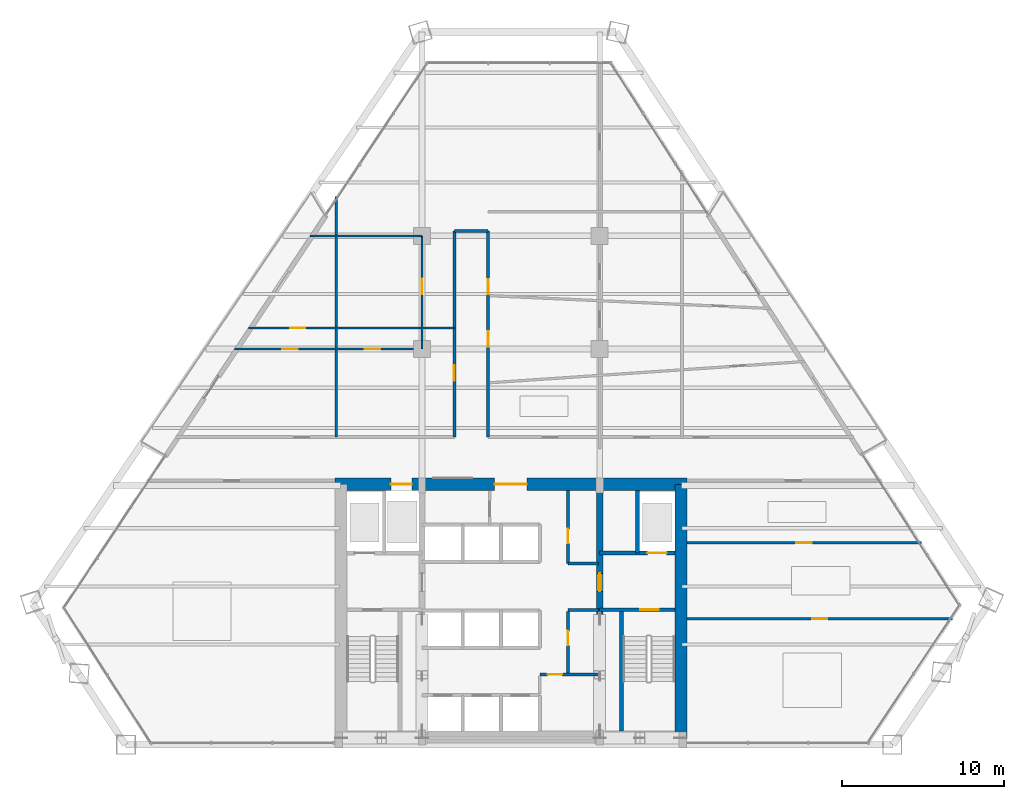
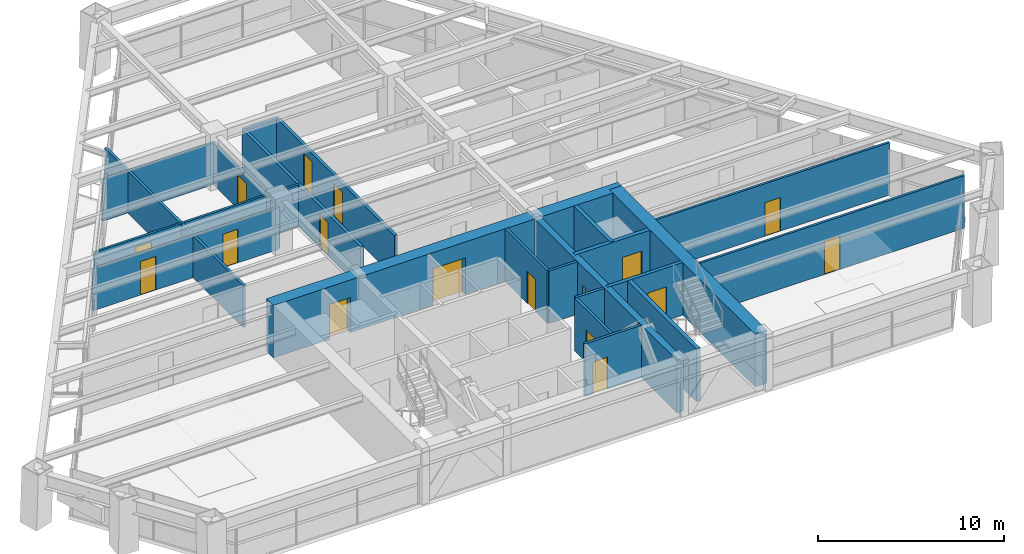
# One storey, part 11 of 15: 22 walls, 17 doors, 17 openings.
"""IFC4 building model written with IfcOpenShell, lengths in metres."""

from ifc_helpers import new_model, si_unit, direction, frame, frame_2d, origin, place, context, subcontext, project, spatial, rectangle, extrude, source, transform, mapped, material, layer, layer_set, type_object, type_shapes, element, fill, save


model = new_model("IFC4")

# Units and contexts
model_context = context("Model", 3, precision=1e-05, world=origin(), true_north=direction((0.0, 1.0)))
body_context = subcontext(model_context, "Body", "Model", "MODEL_VIEW")
ifc_project = project(units=[si_unit("LENGTHUNIT", "METRE"), si_unit("AREAUNIT", "SQUARE_METRE"), si_unit("VOLUMEUNIT", "CUBIC_METRE"), si_unit("PLANEANGLEUNIT", "RADIAN"), si_unit("MASSUNIT", "GRAM", prefix="KILO")], contexts=[model_context])

# Site, building, storey
site_placement = place(None, origin())
site = spatial("IfcSite", under=ifc_project, at=site_placement, CompositionType="ELEMENT")
building_placement = place(site_placement, origin())
building = spatial("IfcBuilding", under=site, at=building_placement, Name="Varnakhor Terracotta Tower", CompositionType="ELEMENT")
storey_placement = place(building_placement, frame((0.0, 0.0, 109.89990234375)))
storey = spatial("IfcBuildingStorey", under=building, at=storey_placement, Name="L27", CompositionType="ELEMENT", Elevation=109.89990234375)

# Wall, openings, doors
ifc_material_1 = material(Name="Concrete C60/75", Category="concrete")
ifc_layer_1 = layer(ifc_material_1, 0.75, Name="Concrete C60/75")
ifc_layer_set_1 = layer_set([ifc_layer_1], Name="Concrete C60/75")
wall_type_1 = type_object("IfcWallType", Name="WAL-CORE-750", PredefinedType="SHEAR", material=ifc_layer_set_1)
wall_1_placement = place(storey_placement, frame((-10.89990234375, 16.125, 0.0), z_axis=(0.0, 0.0, 1.0), x_axis=(1.0, 0.0, 0.0)))
wall_1 = element("IfcWall", 1, at=wall_1_placement, inside=storey, type_object=wall_type_1, Name="L27 North Core Shear Wall", PredefinedType="SHEAR", context=body_context, shape_type="SweptSolid", body=[
    extrude(rectangle(XDim=21.7998046875, YDim=0.75, at=frame_2d((10.89990234375, 0.0))), origin(), (0.0, 0.0, 1.0), 3.4501953125),
])
opening_1_placement = place(wall_1_placement, frame((3.469970703125, 0.0, 0.0)))
opening_1 = element("IfcOpeningElement", 2, at=opening_1_placement, cuts=wall_1, Name="Opening LD-03", PredefinedType="OPENING", context=body_context, shape_type="SweptSolid", body=[
    extrude(rectangle(XDim=1.300048828125, YDim=2.300048828125, at=frame_2d((0.64990234375, 1.14990234375))), frame((0.0, 0.385009765625, 0.0), z_axis=(0.0, -1.0, 0.0), x_axis=(1.0, 0.0, 0.0)), (0.0, 0.0, 1.0), 0.77001953125),
])
opening_2_placement = place(wall_1_placement, frame((9.89990234375, 0.0, 0.0)))
opening_2 = element("IfcOpeningElement", 3, at=opening_2_placement, cuts=wall_1, Name="Opening DR-32", PredefinedType="OPENING", context=body_context, shape_type="SweptSolid", body=[
    extrude(rectangle(XDim=2.0, YDim=2.39990234375, at=frame_2d((1.0, 1.199951171875))), frame((0.0, 0.385009765625, 0.0), z_axis=(0.0, -1.0, 0.0), x_axis=(1.0, 0.0, 0.0)), (0.0, 0.0, 1.0), 0.77001953125),
])
ifc_material_2 = material(Name="Heavy-Duty Goods Sliding Lift Landing Door", Category="steel")
door_type_1 = type_object("IfcDoorType", Name="LD-SRV-1300X2300", OperationType="NOTDEFINED", PredefinedType="DOOR", material=ifc_material_2)
shared_shape_1 = source(origin(), body_context, "Body", "SweptSolid", [
    extrude(rectangle(XDim=1.300048828125, YDim=2.300048828125, at=frame_2d((0.64990234375, 1.14990234375))), frame((0.0, 0.02490234375, 0.0), z_axis=(0.0, -1.0, 0.0), x_axis=(1.0, 0.0, 0.0)), (0.0, 0.0, 1.0), 0.050048828125),
])
type_shapes(door_type_1, [shared_shape_1])
door_1_placement = place(opening_1_placement, origin())
door_1 = element("IfcDoor", 4, at=door_1_placement, inside=storey, type_object=door_type_1, Name="L27 Service Lift SVL-1 Landing Door", OperationType="SLIDING_TO_RIGHT", OverallHeight=2.300048828125, OverallWidth=1.300048828125, PredefinedType="DOOR", context=body_context, shape_type="MappedRepresentation", body=[
    mapped(shared_shape_1, transform((0.0, 0.0, 0.0), scale=1.0)),
])
fill(opening_1, door_1)
ifc_material_3 = material(Name="Acoustic Double Assembly Fire Door", Category="wood")
door_type_2 = type_object("IfcDoorType", Name="DR-HALL-2000X2400", OperationType="NOTDEFINED", PredefinedType="DOOR", material=ifc_material_3)
shared_shape_2 = source(origin(), body_context, "Body", "SweptSolid", [
    extrude(rectangle(XDim=2.0, YDim=2.39990234375, at=frame_2d((1.0, 1.199951171875))), frame((0.0, 0.02490234375, 0.0), z_axis=(0.0, -1.0, 0.0), x_axis=(1.0, 0.0, 0.0)), (0.0, 0.0, 1.0), 0.050048828125),
])
type_shapes(door_type_2, [shared_shape_2])
door_2_placement = place(opening_2_placement, origin())
door_2 = element("IfcDoor", 5, at=door_2_placement, inside=storey, type_object=door_type_2, Name="L27 Core Main Lobby Double Door", OperationType="DOUBLE_DOOR_SINGLE_SWING", OverallHeight=2.39990234375, OverallWidth=2.0, PredefinedType="DOOR", context=body_context, shape_type="MappedRepresentation", body=[
    mapped(shared_shape_2, transform((0.0, 0.0, 0.0), scale=1.0)),
])
fill(opening_2, door_2)

# Wall
wall_2_placement = place(storey_placement, frame((10.52490234375, 0.47509765625, 0.0), z_axis=(0.0, 0.0, 1.0), x_axis=(0.0, 1.0, 0.0)))
element("IfcWall", 6, at=wall_2_placement, inside=storey, type_object=wall_type_1, Name="L27 East Core Shear Wall", PredefinedType="SHEAR", context=body_context, shape_type="SweptSolid", body=[
    extrude(rectangle(XDim=15.64990234375, YDim=0.75, at=frame_2d((7.824951171875, 0.0))), origin(), (0.0, 0.0, 1.0), 3.4501953125),
])

# Wall, opening, door
ifc_material_4 = material(Name="Concrete C50/60", Category="concrete")
ifc_layer_2 = layer(ifc_material_4, 0.39990234375, Name="Concrete C50/60")
ifc_layer_set_2 = layer_set([ifc_layer_2], Name="Concrete C50/60")
wall_type_2 = type_object("IfcWallType", Name="WAL-CORE-WEB-400", PredefinedType="SHEAR", material=ifc_layer_set_2)
wall_3_placement = place(storey_placement, frame((5.5, 0.47509765625, 0.0), z_axis=(0.0, 0.0, 1.0), x_axis=(0.0, 1.0, 0.0)))
wall_3 = element("IfcWall", 7, at=wall_3_placement, inside=storey, type_object=wall_type_2, Name="L27 East Core Web Shear Wall", PredefinedType="SHEAR", context=body_context, shape_type="SweptSolid", body=[
    extrude(rectangle(XDim=15.64990234375, YDim=0.39990234375, at=frame_2d((7.824951171875, 0.0))), origin(), (0.0, 0.0, 1.0), 3.4501953125),
])
opening_3_placement = place(wall_3_placement, frame((9.02490234375, 0.0, 0.0)))
opening_3 = element("IfcOpeningElement", 8, at=opening_3_placement, cuts=wall_3, Name="Opening DR-25", PredefinedType="OPENING", context=body_context, shape_type="SweptSolid", body=[
    extrude(rectangle(XDim=1.10009765625, YDim=2.199951171875, at=frame_2d((0.550048828125, 1.10009765625))), frame((0.0, 0.2099609375, 0.0), z_axis=(0.0, -1.0, 0.0), x_axis=(1.0, 0.0, 0.0)), (0.0, 0.0, 1.0), 0.419921875),
])
ifc_material_5 = material(Name="Firefighting Lobby Self-Closing Fire Door", Category="steel")
door_type_3 = type_object("IfcDoorType", Name="DR-FFL-1100X2200", OperationType="NOTDEFINED", PredefinedType="DOOR", material=ifc_material_5)
shared_shape_3 = source(origin(), body_context, "Body", "SweptSolid", [
    extrude(rectangle(XDim=1.10009765625, YDim=2.199951171875, at=frame_2d((0.550048828125, 1.10009765625))), frame((0.0, 0.02490234375, 0.0), z_axis=(0.0, -1.0, 0.0), x_axis=(1.0, 0.0, 0.0)), (0.0, 0.0, 1.0), 0.050048828125),
])
type_shapes(door_type_3, [shared_shape_3])
door_3_placement = place(opening_3_placement, origin())
door_3 = element("IfcDoor", 9, at=door_3_placement, inside=storey, type_object=door_type_3, Name="L27 East Firefighting Lobby Door", OperationType="SINGLE_SWING_LEFT", OverallHeight=2.199951171875, OverallWidth=1.10009765625, PredefinedType="DOOR", context=body_context, shape_type="MappedRepresentation", body=[
    mapped(shared_shape_3, transform((0.0, 0.0, 0.0), scale=1.0)),
])
fill(opening_3, door_3)

ifc_material_6 = material(Name="Fire-Rated Gypsum Stud Partition", Category="gypsum")
ifc_layer_3 = layer(ifc_material_6, 0.18505859375, Name="Fire-Rated Gypsum Stud Partition")
ifc_layer_set_3 = layer_set([ifc_layer_3], Name="Fire-Rated Gypsum Stud Partition")
wall_type_3 = type_object("IfcWallType", Name="WAL-CORR-185", PredefinedType="PARTITIONING", material=ifc_layer_set_3)
wall_4_placement = place(storey_placement, frame((-3.5, 19.050048828125, 0.0), z_axis=(0.0, 0.0, 1.0), x_axis=(0.0, 1.0, 0.0)))
wall_4 = element("IfcWall", 10, at=wall_4_placement, inside=storey, type_object=wall_type_3, Name="L27 Spine West Wall", PredefinedType="PARTITIONING", context=body_context, shape_type="SweptSolid", body=[
    extrude(rectangle(XDim=12.75, YDim=0.18505859375, at=frame_2d((6.375, 0.0))), origin(), (0.0, 0.0, 1.0), 2.7470703125),
])
opening_4_placement = place(wall_4_placement, frame((3.486083984375, 0.0, 0.0)))
opening_4 = element("IfcOpeningElement", 11, at=opening_4_placement, cuts=wall_4, Name="Opening DR-94", PredefinedType="OPENING", context=body_context, shape_type="SweptSolid", body=[
    extrude(rectangle(XDim=0.949951171875, YDim=2.199951171875, at=frame_2d((0.47509765625, 1.10009765625))), frame((0.0, 0.1025390625, 0.0), z_axis=(0.0, -1.0, 0.0), x_axis=(1.0, 0.0, 0.0)), (0.0, 0.0, 1.0), 0.205078125),
])
ifc_material_7 = material(Name="Acoustic Glazed-Vision Timber Office Door", Category="wood")
door_type_4 = type_object("IfcDoorType", Name="DR-OFF-950X2200", OperationType="NOTDEFINED", PredefinedType="DOOR", material=ifc_material_7)
shared_shape_4 = source(origin(), body_context, "Body", "SweptSolid", [
    extrude(rectangle(XDim=0.949951171875, YDim=2.199951171875, at=frame_2d((0.47509765625, 1.10009765625))), frame((0.0, 0.02490234375, 0.0), z_axis=(0.0, -1.0, 0.0), x_axis=(1.0, 0.0, 0.0)), (0.0, 0.0, 1.0), 0.050048828125),
])
type_shapes(door_type_4, [shared_shape_4])
door_4_placement = place(opening_4_placement, origin())
door_4 = element("IfcDoor", 12, at=door_4_placement, inside=storey, type_object=door_type_4, Name="L27 Spine West Door", OperationType="SINGLE_SWING_RIGHT", OverallHeight=2.199951171875, OverallWidth=0.949951171875, PredefinedType="DOOR", context=body_context, shape_type="MappedRepresentation", body=[
    mapped(shared_shape_4, transform((0.0, 0.0, 0.0), scale=1.0)),
])
fill(opening_4, door_4)

# Wall, openings, doors
wall_5_placement = place(storey_placement, frame((-1.39990234375, 19.050048828125, 0.0), z_axis=(0.0, 0.0, 1.0), x_axis=(0.0, 1.0, 0.0)))
wall_5 = element("IfcWall", 13, at=wall_5_placement, inside=storey, type_object=wall_type_3, Name="L27 Spine East Wall", PredefinedType="PARTITIONING", context=body_context, shape_type="SweptSolid", body=[
    extrude(rectangle(XDim=12.75, YDim=0.18505859375, at=frame_2d((6.375, 0.0))), origin(), (0.0, 0.0, 1.0), 2.7470703125),
])
opening_5_placement = place(wall_5_placement, frame((8.830078125, 0.0, 0.0)))
opening_5 = element("IfcOpeningElement", 14, at=opening_5_placement, cuts=wall_5, Name="Opening DR-94", PredefinedType="OPENING", context=body_context, shape_type="SweptSolid", body=[
    extrude(rectangle(XDim=0.949951171875, YDim=2.199951171875, at=frame_2d((0.47509765625, 1.10009765625))), frame((0.0, 0.1025390625, 0.0), z_axis=(0.0, -1.0, 0.0), x_axis=(1.0, 0.0, 0.0)), (0.0, 0.0, 1.0), 0.205078125),
])
opening_6_placement = place(wall_5_placement, frame((5.593505859375, 0.0, 0.0)))
opening_6 = element("IfcOpeningElement", 15, at=opening_6_placement, cuts=wall_5, Name="Opening DR-94", PredefinedType="OPENING", context=body_context, shape_type="SweptSolid", body=[
    extrude(rectangle(XDim=0.949951171875, YDim=2.199951171875, at=frame_2d((0.47509765625, 1.10009765625))), frame((0.0, 0.1025390625, 0.0), z_axis=(0.0, -1.0, 0.0), x_axis=(1.0, 0.0, 0.0)), (0.0, 0.0, 1.0), 0.205078125),
])
door_5_placement = place(opening_5_placement, origin())
door_5 = element("IfcDoor", 16, at=door_5_placement, inside=storey, type_object=door_type_4, Name="L27 Spine East Door", OperationType="SINGLE_SWING_LEFT", OverallHeight=2.199951171875, OverallWidth=0.949951171875, PredefinedType="DOOR", context=body_context, shape_type="MappedRepresentation", body=[
    mapped(shared_shape_4, transform((0.0, 0.0, 0.0), scale=1.0)),
])
fill(opening_5, door_5)
door_6_placement = place(opening_6_placement, origin())
door_6 = element("IfcDoor", 17, at=door_6_placement, inside=storey, type_object=door_type_4, Name="L27 Director Office 3 B12 Door", OperationType="SINGLE_SWING_RIGHT", OverallHeight=2.199951171875, OverallWidth=0.949951171875, PredefinedType="DOOR", context=body_context, shape_type="MappedRepresentation", body=[
    mapped(shared_shape_4, transform((0.0, 0.0, 0.0), scale=1.0)),
])
fill(opening_6, door_6)

# Wall
wall_6_placement = place(storey_placement, frame((-3.5, 31.800048828125, 0.0), z_axis=(0.0, 0.0, 1.0), x_axis=(1.0, 0.0, 0.0)))
element("IfcWall", 18, at=wall_6_placement, inside=storey, type_object=wall_type_3, Name="L27 Spine North End Wall", PredefinedType="PARTITIONING", context=body_context, shape_type="SweptSolid", body=[
    extrude(rectangle(XDim=2.10009765625, YDim=0.18505859375, at=frame_2d((1.050048828125, 0.0))), origin(), (0.0, 0.0, 1.0), 2.7470703125),
])

# Wall, opening, door
ifc_material_8 = material(Name="Concrete C40/50", Category="concrete")
ifc_layer_4 = layer(ifc_material_8, 0.219970703125, Name="Concrete C40/50")
ifc_layer_set_4 = layer_set([ifc_layer_4], Name="Concrete C40/50")
wall_type_4 = type_object("IfcWallType", Name="WAL-FFLOBBY-220", PredefinedType="SOLIDWALL", material=ifc_layer_set_4)
wall_7_placement = place(storey_placement, frame((10.14990234375, 8.35009765625, 0.0), z_axis=(0.0, 0.0, 1.0), x_axis=(-1.0, 0.0, 0.0)))
wall_7 = element("IfcWall", 19, at=wall_7_placement, inside=storey, type_object=wall_type_4, Name="L27 East Firefighting Lobby Stair Wall", PredefinedType="SOLIDWALL", context=body_context, shape_type="SweptSolid", body=[
    extrude(rectangle(XDim=4.64990234375, YDim=0.219970703125, at=frame_2d((2.324951171875, 0.0))), origin(), (0.0, 0.0, 1.0), 3.4501953125),
])
opening_7_placement = place(wall_7_placement, frame((1.0, 0.0, 0.0)))
opening_7 = element("IfcOpeningElement", 20, at=opening_7_placement, cuts=wall_7, Name="Opening DR-34", PredefinedType="OPENING", context=body_context, shape_type="SweptSolid", body=[
    extrude(rectangle(XDim=1.14990234375, YDim=2.199951171875, at=frame_2d((0.574951171875, 1.10009765625))), frame((0.0, 0.1201171875, 0.0), z_axis=(0.0, -1.0, 0.0), x_axis=(1.0, 0.0, 0.0)), (0.0, 0.0, 1.0), 0.239990234375),
])
ifc_material_9 = material(Name="Self-Closing Smoke-Sealed Steel Fire Door", Category="steel")
door_type_5 = type_object("IfcDoorType", Name="DR-STAIR-1150X2200", OperationType="NOTDEFINED", PredefinedType="DOOR", material=ifc_material_9)
shared_shape_5 = source(origin(), body_context, "Body", "SweptSolid", [
    extrude(rectangle(XDim=1.14990234375, YDim=2.199951171875, at=frame_2d((0.574951171875, 1.10009765625))), frame((0.0, 0.02490234375, 0.0), z_axis=(0.0, -1.0, 0.0), x_axis=(1.0, 0.0, 0.0)), (0.0, 0.0, 1.0), 0.050048828125),
])
type_shapes(door_type_5, [shared_shape_5])
door_7_placement = place(opening_7_placement, origin())
door_7 = element("IfcDoor", 21, at=door_7_placement, inside=storey, type_object=door_type_5, Name="L27 Exit Stair ST-2 Fire Door", OperationType="SINGLE_SWING_RIGHT", OverallHeight=2.199951171875, OverallWidth=1.14990234375, PredefinedType="DOOR", context=body_context, shape_type="MappedRepresentation", body=[
    mapped(shared_shape_5, transform((0.0, 0.0, 0.0), scale=1.0)),
])
fill(opening_7, door_7)

# Wall, openings, doors
ifc_material_10 = material(Name="Acoustic Metal-Stud Partition", Category="gypsum")
ifc_layer_5 = layer(ifc_material_10, 0.139892578125, Name="Acoustic Metal-Stud Partition")
ifc_layer_set_5 = layer_set([ifc_layer_5], Name="Acoustic Metal-Stud Partition")
wall_type_5 = type_object("IfcWallType", Name="WAL-PART-140", PredefinedType="PARTITIONING", material=ifc_layer_set_5)
wall_8_placement = place(storey_placement, frame((-17.103515625, 24.5, 0.0), z_axis=(0.0, 0.0, 1.0), x_axis=(1.0, 0.0, 0.0)))
wall_8 = element("IfcWall", 22, at=wall_8_placement, inside=storey, type_object=wall_type_5, Name="L27 West Y24.5 Column Wall", PredefinedType="PARTITIONING", context=body_context, shape_type="SweptSolid", body=[
    extrude(rectangle(XDim=11.603515625, YDim=0.139892578125, at=frame_2d((5.8017578125, 0.0))), origin(), (0.0, 0.0, 1.0), 2.7470703125),
])
opening_8_placement = place(wall_8_placement, frame((2.967041015625, 0.0, 0.0)))
opening_8 = element("IfcOpeningElement", 23, at=opening_8_placement, cuts=wall_8, Name="Opening DR-94", PredefinedType="OPENING", context=body_context, shape_type="SweptSolid", body=[
    extrude(rectangle(XDim=0.949951171875, YDim=2.199951171875, at=frame_2d((0.47509765625, 1.10009765625))), frame((0.0, 0.080078125, 0.0), z_axis=(0.0, -1.0, 0.0), x_axis=(1.0, 0.0, 0.0)), (0.0, 0.0, 1.0), 0.159912109375),
])
opening_9_placement = place(wall_8_placement, frame((8.072021484375, 0.0, 0.0)))
opening_9 = element("IfcOpeningElement", 24, at=opening_9_placement, cuts=wall_8, Name="Opening DR-94", PredefinedType="OPENING", context=body_context, shape_type="SweptSolid", body=[
    extrude(rectangle(XDim=0.949951171875, YDim=2.199951171875, at=frame_2d((0.47509765625, 1.10009765625))), frame((0.0, 0.080078125, 0.0), z_axis=(0.0, -1.0, 0.0), x_axis=(1.0, 0.0, 0.0)), (0.0, 0.0, 1.0), 0.159912109375),
])
door_8_placement = place(opening_8_placement, origin())
door_8 = element("IfcDoor", 25, at=door_8_placement, inside=storey, type_object=door_type_4, Name="L27 Director Office 2 Door", OperationType="SINGLE_SWING_LEFT", OverallHeight=2.199951171875, OverallWidth=0.949951171875, PredefinedType="DOOR", context=body_context, shape_type="MappedRepresentation", body=[
    mapped(shared_shape_4, transform((0.0, 0.0, 0.0), scale=1.0)),
])
fill(opening_8, door_8)
door_9_placement = place(opening_9_placement, origin())
door_9 = element("IfcDoor", 26, at=door_9_placement, inside=storey, type_object=door_type_4, Name="L27 Innovation Workshop B13 Door", OperationType="SINGLE_SWING_LEFT", OverallHeight=2.199951171875, OverallWidth=0.949951171875, PredefinedType="DOOR", context=body_context, shape_type="MappedRepresentation", body=[
    mapped(shared_shape_4, transform((0.0, 0.0, 0.0), scale=1.0)),
])
fill(opening_9, door_9)

# Wall, opening, door
wall_9_placement = place(storey_placement, frame((-5.5, 24.5, 0.0), z_axis=(0.0, 0.0, 1.0), x_axis=(0.0, 1.0, 0.0)))
wall_9 = element("IfcWall", 27, at=wall_9_placement, inside=storey, type_object=wall_type_5, Name="L27 West Mid Link Wall", PredefinedType="PARTITIONING", context=body_context, shape_type="SweptSolid", body=[
    extrude(rectangle(XDim=7.0, YDim=0.139892578125, at=frame_2d((3.5, 0.0))), origin(), (0.0, 0.0, 1.0), 2.7470703125),
])
opening_10_placement = place(wall_9_placement, frame((3.393310546875, 0.0, 0.0)))
opening_10 = element("IfcOpeningElement", 28, at=opening_10_placement, cuts=wall_9, Name="Opening DR-94", PredefinedType="OPENING", context=body_context, shape_type="SweptSolid", body=[
    extrude(rectangle(XDim=0.949951171875, YDim=2.199951171875, at=frame_2d((0.47509765625, 1.10009765625))), frame((0.0, 0.080078125, 0.0), z_axis=(0.0, -1.0, 0.0), x_axis=(1.0, 0.0, 0.0)), (0.0, 0.0, 1.0), 0.159912109375),
])
door_10_placement = place(opening_10_placement, origin())
door_10 = element("IfcDoor", 29, at=door_10_placement, inside=storey, type_object=door_type_4, Name="L27 Innovation Workshop Door", OperationType="SINGLE_SWING_LEFT", OverallHeight=2.199951171875, OverallWidth=0.949951171875, PredefinedType="DOOR", context=body_context, shape_type="MappedRepresentation", body=[
    mapped(shared_shape_4, transform((0.0, 0.0, 0.0), scale=1.0)),
])
fill(opening_10, door_10)

# Wall
wall_10_placement = place(storey_placement, frame((-12.435791015625, 31.5, 0.0), z_axis=(0.0, 0.0, 1.0), x_axis=(1.0, 0.0, 0.0)))
element("IfcWall", 30, at=wall_10_placement, inside=storey, type_object=wall_type_5, Name="L27 West Y31.5 Column Wall", PredefinedType="PARTITIONING", context=body_context, shape_type="SweptSolid", body=[
    extrude(rectangle(XDim=6.935791015625, YDim=0.139892578125, at=frame_2d((3.4677734375, 0.0))), origin(), (0.0, 0.0, 1.0), 2.7470703125),
])

# Wall, opening, door
wall_11_placement = place(storey_placement, frame((-16.23681640625, 25.800048828125, 0.0), z_axis=(0.0, 0.0, 1.0), x_axis=(1.0, 0.0, 0.0)))
wall_11 = element("IfcWall", 31, at=wall_11_placement, inside=storey, type_object=wall_type_5, Name="L27 West Wing Cut 1", PredefinedType="PARTITIONING", context=body_context, shape_type="SweptSolid", body=[
    extrude(rectangle(XDim=12.73681640625, YDim=0.139892578125, at=frame_2d((6.368408203125, 0.0))), origin(), (0.0, 0.0, 1.0), 2.7470703125),
])
opening_11_placement = place(wall_11_placement, frame((2.573974609375, 0.0, 0.0)))
opening_11 = element("IfcOpeningElement", 32, at=opening_11_placement, cuts=wall_11, Name="Opening DR-94", PredefinedType="OPENING", context=body_context, shape_type="SweptSolid", body=[
    extrude(rectangle(XDim=0.949951171875, YDim=2.199951171875, at=frame_2d((0.47509765625, 1.10009765625))), frame((0.0, 0.080078125, 0.0), z_axis=(0.0, -1.0, 0.0), x_axis=(1.0, 0.0, 0.0)), (0.0, 0.0, 1.0), 0.159912109375),
])
door_11_placement = place(opening_11_placement, origin())
door_11 = element("IfcDoor", 33, at=door_11_placement, inside=storey, type_object=door_type_4, Name="L27 Regional HQ Workplace B16 Door", OperationType="SINGLE_SWING_RIGHT", OverallHeight=2.199951171875, OverallWidth=0.949951171875, PredefinedType="DOOR", context=body_context, shape_type="MappedRepresentation", body=[
    mapped(shared_shape_4, transform((0.0, 0.0, 0.0), scale=1.0)),
])
fill(opening_11, door_11)

wall_12_placement = place(storey_placement, frame((10.919921875, 7.800048828125, 0.0), z_axis=(0.0, 0.0, 1.0), x_axis=(1.0, 0.0, 0.0)))
wall_12 = element("IfcWall", 34, at=wall_12_placement, inside=storey, type_object=wall_type_5, Name="L27 South East Cut 1", PredefinedType="PARTITIONING", context=body_context, shape_type="SweptSolid", body=[
    extrude(rectangle(XDim=16.421875, YDim=0.139892578125, at=frame_2d((8.2109375, 0.0))), origin(), (0.0, 0.0, 1.0), 3.442138671875),
])
opening_12_placement = place(wall_12_placement, frame((7.724609375, 0.0, 0.0)))
opening_12 = element("IfcOpeningElement", 35, at=opening_12_placement, cuts=wall_12, Name="Opening DR-94", PredefinedType="OPENING", context=body_context, shape_type="SweptSolid", body=[
    extrude(rectangle(XDim=0.949951171875, YDim=2.199951171875, at=frame_2d((0.47509765625, 1.10009765625))), frame((0.0, 0.080078125, 0.0), z_axis=(0.0, -1.0, 0.0), x_axis=(1.0, 0.0, 0.0)), (0.0, 0.0, 1.0), 0.159912109375),
])
door_12_placement = place(opening_12_placement, origin())
door_12 = element("IfcDoor", 36, at=door_12_placement, inside=storey, type_object=door_type_4, Name="L27 South East Conference Room Door", OperationType="SINGLE_SWING_RIGHT", OverallHeight=2.199951171875, OverallWidth=0.949951171875, PredefinedType="DOOR", context=body_context, shape_type="MappedRepresentation", body=[
    mapped(shared_shape_4, transform((0.0, 0.0, 0.0), scale=1.0)),
])
fill(opening_12, door_12)

wall_13_placement = place(storey_placement, frame((10.919921875, 12.5, 0.0), z_axis=(0.0, 0.0, 1.0), x_axis=(1.0, 0.0, 0.0)))
wall_13 = element("IfcWall", 37, at=wall_13_placement, inside=storey, type_object=wall_type_5, Name="L27 South East Cut 2", PredefinedType="PARTITIONING", context=body_context, shape_type="SweptSolid", body=[
    extrude(rectangle(XDim=14.487060546875, YDim=0.139892578125, at=frame_2d((7.24365234375, 0.0))), origin(), (0.0, 0.0, 1.0), 3.442138671875),
])
opening_13_placement = place(wall_13_placement, frame((6.760009765625, 0.0, 0.0)))
opening_13 = element("IfcOpeningElement", 38, at=opening_13_placement, cuts=wall_13, Name="Opening DR-94", PredefinedType="OPENING", context=body_context, shape_type="SweptSolid", body=[
    extrude(rectangle(XDim=0.949951171875, YDim=2.199951171875, at=frame_2d((0.47509765625, 1.10009765625))), frame((0.0, 0.080078125, 0.0), z_axis=(0.0, -1.0, 0.0), x_axis=(1.0, 0.0, 0.0)), (0.0, 0.0, 1.0), 0.159912109375),
])
door_13_placement = place(opening_13_placement, origin())
door_13 = element("IfcDoor", 39, at=door_13_placement, inside=storey, type_object=door_type_4, Name="L27 Director Office 2 B3 Door", OperationType="SINGLE_SWING_RIGHT", OverallHeight=2.199951171875, OverallWidth=0.949951171875, PredefinedType="DOOR", context=body_context, shape_type="MappedRepresentation", body=[
    mapped(shared_shape_4, transform((0.0, 0.0, 0.0), scale=1.0)),
])
fill(opening_13, door_13)

# Walls
ifc_layer_6 = layer(ifc_material_8, 0.219970703125, Name="Concrete C40/50")
ifc_layer_set_6 = layer_set([ifc_layer_6], Name="Concrete C40/50")
wall_type_6 = type_object("IfcWallType", Name="WAL-SHAFT-220", PredefinedType="SOLIDWALL", material=ifc_layer_set_6)
wall_14_placement = place(storey_placement, frame((7.840087890625, 11.8701171875, 0.0), z_axis=(0.0, 0.0, 1.0), x_axis=(0.0, 1.0, 0.0)))
element("IfcWall", 40, at=wall_14_placement, inside=storey, type_object=wall_type_6, Name="L27 Lift FFL-2 and Riser Divider Wall", PredefinedType="SOLIDWALL", context=body_context, shape_type="SweptSolid", body=[
    extrude(rectangle(XDim=3.8798828125, YDim=0.219970703125, at=frame_2d((1.93994140625, 0.0))), origin(), (0.0, 0.0, 1.0), 3.4501953125),
])
ifc_layer_7 = layer(ifc_material_8, 0.25, Name="Concrete C40/50")
ifc_layer_set_7 = layer_set([ifc_layer_7], Name="Concrete C40/50")
wall_type_7 = type_object("IfcWallType", Name="WAL-SHAFT-250", PredefinedType="SOLIDWALL", material=ifc_layer_set_7)
wall_15_placement = place(storey_placement, frame((6.85009765625, 0.85009765625, 0.0), z_axis=(0.0, 0.0, 1.0), x_axis=(0.0, 1.0, 0.0)))
element("IfcWall", 41, at=wall_15_placement, inside=storey, type_object=wall_type_7, Name="L27 Stair ST-2 Bearing Shaft Wall", PredefinedType="SOLIDWALL", context=body_context, shape_type="SweptSolid", body=[
    extrude(rectangle(XDim=7.5, YDim=0.25, at=frame_2d((3.75, 0.0))), origin(), (0.0, 0.0, 1.0), 3.4501953125),
])

# Wall, opening, door
wall_16_placement = place(storey_placement, frame((10.14990234375, 11.8701171875, 0.0), z_axis=(0.0, 0.0, 1.0), x_axis=(-1.0, 0.0, 0.0)))
wall_16 = element("IfcWall", 42, at=wall_16_placement, inside=storey, type_object=wall_type_7, Name="L27 Lift FFL-2 Shaft Front Wall", PredefinedType="SOLIDWALL", context=body_context, shape_type="SweptSolid", body=[
    extrude(rectangle(XDim=4.64990234375, YDim=0.25, at=frame_2d((2.324951171875, 0.0))), origin(), (0.0, 0.0, 1.0), 3.4501953125),
])
opening_14_placement = place(wall_16_placement, frame((0.5, 0.0, 0.0)))
opening_14 = element("IfcOpeningElement", 43, at=opening_14_placement, cuts=wall_16, Name="Opening LD-02", PredefinedType="OPENING", context=body_context, shape_type="SweptSolid", body=[
    extrude(rectangle(XDim=1.199951171875, YDim=2.25, at=frame_2d((0.60009765625, 1.125))), frame((0.0, 0.135009765625, 0.0), z_axis=(0.0, -1.0, 0.0), x_axis=(1.0, 0.0, 0.0)), (0.0, 0.0, 1.0), 0.27001953125),
])
ifc_material_11 = material(Name="Firefighting Stretcher Sliding Lift Landing Door", Category="steel")
door_type_6 = type_object("IfcDoorType", Name="LD-FFL-1200X2250", OperationType="NOTDEFINED", PredefinedType="DOOR", material=ifc_material_11)
shared_shape_6 = source(origin(), body_context, "Body", "SweptSolid", [
    extrude(rectangle(XDim=1.199951171875, YDim=2.25, at=frame_2d((0.60009765625, 1.125))), frame((0.0, 0.02490234375, 0.0), z_axis=(0.0, -1.0, 0.0), x_axis=(1.0, 0.0, 0.0)), (0.0, 0.0, 1.0), 0.050048828125),
])
type_shapes(door_type_6, [shared_shape_6])
door_14_placement = place(opening_14_placement, origin())
door_14 = element("IfcDoor", 44, at=door_14_placement, inside=storey, type_object=door_type_6, Name="L27 Firefighting Lift FFL-2 Landing Door", OperationType="SLIDING_TO_RIGHT", OverallHeight=2.25, OverallWidth=1.199951171875, PredefinedType="DOOR", context=body_context, shape_type="MappedRepresentation", body=[
    mapped(shared_shape_6, transform((0.0, 0.0, 0.0), scale=1.0)),
])
fill(opening_14, door_14)

ifc_material_12 = material(Name="Acoustic Fire-Rated Partition", Category="gypsum")
ifc_layer_8 = layer(ifc_material_12, 0.1650390625, Name="Acoustic Fire-Rated Partition")
ifc_layer_set_8 = layer_set([ifc_layer_8], Name="Acoustic Fire-Rated Partition")
wall_type_8 = type_object("IfcWallType", Name="WAL-TENANCY-165", PredefinedType="PARTITIONING", material=ifc_layer_set_8)
wall_17_placement = place(storey_placement, frame((3.5400390625, 4.4326171875, 0.0), z_axis=(0.0, 0.0, 1.0), x_axis=(0.0, 1.0, 0.0)))
wall_17 = element("IfcWall", 45, at=wall_17_placement, inside=storey, type_object=wall_type_8, Name="L27 Core Service Rated Wall", PredefinedType="PARTITIONING", context=body_context, shape_type="SweptSolid", body=[
    extrude(rectangle(XDim=3.824951171875, YDim=0.1650390625, at=frame_2d((1.91259765625, 0.0))), origin(), (0.0, 0.0, 1.0), 3.442138671875),
])
opening_15_placement = place(wall_17_placement, frame((1.72119140625, 0.0, 0.0)))
opening_15 = element("IfcOpeningElement", 46, at=opening_15_placement, cuts=wall_17, Name="Opening DR-67", PredefinedType="OPENING", context=body_context, shape_type="SweptSolid", body=[
    extrude(rectangle(XDim=0.89990234375, YDim=2.10009765625, at=frame_2d((0.449951171875, 1.050048828125))), frame((0.0, 0.092529296875, 0.0), z_axis=(0.0, -1.0, 0.0), x_axis=(1.0, 0.0, 0.0)), (0.0, 0.0, 1.0), 0.18505859375),
])
ifc_material_13 = material(Name="Steel Service Riser Fire Door", Category="steel")
door_type_7 = type_object("IfcDoorType", Name="DR-RISER-900X2100", OperationType="NOTDEFINED", PredefinedType="DOOR", material=ifc_material_13)
shared_shape_7 = source(origin(), body_context, "Body", "SweptSolid", [
    extrude(rectangle(XDim=0.89990234375, YDim=2.10009765625, at=frame_2d((0.449951171875, 1.050048828125))), frame((0.0, 0.02490234375, 0.0), z_axis=(0.0, -1.0, 0.0), x_axis=(1.0, 0.0, 0.0)), (0.0, 0.0, 1.0), 0.050048828125),
])
type_shapes(door_type_7, [shared_shape_7])
door_15_placement = place(opening_15_placement, origin())
door_15 = element("IfcDoor", 47, at=door_15_placement, inside=storey, type_object=door_type_7, Name="L27 Core Accessible WC Door", OperationType="SINGLE_SWING_LEFT", OverallHeight=2.10009765625, OverallWidth=0.89990234375, PredefinedType="DOOR", context=body_context, shape_type="MappedRepresentation", body=[
    mapped(shared_shape_7, transform((0.0, 0.0, 0.0), scale=1.0)),
])
fill(opening_15, door_15)

# Wall
wall_18_placement = place(storey_placement, frame((3.5400390625, 8.340087890625, 0.0), z_axis=(0.0, 0.0, 1.0), x_axis=(1.0, 0.0, 0.0)))
element("IfcWall", 48, at=wall_18_placement, inside=storey, type_object=wall_type_8, Name="L27 Accessible WC North Wall", PredefinedType="PARTITIONING", context=body_context, shape_type="SweptSolid", body=[
    extrude(rectangle(XDim=1.8798828125, YDim=0.1650390625, at=frame_2d((0.93994140625, 0.0))), origin(), (0.0, 0.0, 1.0), 3.442138671875),
])

# Wall, opening, door
wall_19_placement = place(storey_placement, frame((1.800048828125, 4.35009765625, 0.0), z_axis=(0.0, 0.0, 1.0), x_axis=(1.0, 0.0, 0.0)))
wall_19 = element("IfcWall", 49, at=wall_19_placement, inside=storey, type_object=wall_type_8, Name="L27 Core South Service Rated Wall", PredefinedType="PARTITIONING", context=body_context, shape_type="SweptSolid", body=[
    extrude(rectangle(XDim=3.619873046875, YDim=0.1650390625, at=frame_2d((1.81005859375, 0.0))), origin(), (0.0, 0.0, 1.0), 3.442138671875),
])
opening_16_placement = place(wall_19_placement, frame((0.47998046875, 0.0, 0.0)))
opening_16 = element("IfcOpeningElement", 50, at=opening_16_placement, cuts=wall_19, Name="Opening DR-67", PredefinedType="OPENING", context=body_context, shape_type="SweptSolid", body=[
    extrude(rectangle(XDim=0.89990234375, YDim=2.10009765625, at=frame_2d((0.449951171875, 1.050048828125))), frame((0.0, 0.092529296875, 0.0), z_axis=(0.0, -1.0, 0.0), x_axis=(1.0, 0.0, 0.0)), (0.0, 0.0, 1.0), 0.18505859375),
])
door_16_placement = place(opening_16_placement, origin())
door_16 = element("IfcDoor", 51, at=door_16_placement, inside=storey, type_object=door_type_7, Name="L27 Core IT Room Door", OperationType="SINGLE_SWING_RIGHT", OverallHeight=2.10009765625, OverallWidth=0.89990234375, PredefinedType="DOOR", context=body_context, shape_type="MappedRepresentation", body=[
    mapped(shared_shape_7, transform((0.0, 0.0, 0.0), scale=1.0)),
])
fill(opening_16, door_16)

wall_20_placement = place(storey_placement, frame((3.5400390625, 11.219970703125, 0.0), z_axis=(0.0, 0.0, 1.0), x_axis=(0.0, 1.0, 0.0)))
wall_20 = element("IfcWall", 52, at=wall_20_placement, inside=storey, type_object=wall_type_8, Name="L27 Restroom Corridor Wall", PredefinedType="PARTITIONING", context=body_context, shape_type="SweptSolid", body=[
    extrude(rectangle(XDim=4.530029296875, YDim=0.1650390625, at=frame_2d((2.26513671875, 0.0))), origin(), (0.0, 0.0, 1.0), 3.442138671875),
])
opening_17_placement = place(wall_20_placement, frame((1.25, 0.0, 0.0)))
opening_17 = element("IfcOpeningElement", 53, at=opening_17_placement, cuts=wall_20, Name="Opening DR-67", PredefinedType="OPENING", context=body_context, shape_type="SweptSolid", body=[
    extrude(rectangle(XDim=0.89990234375, YDim=2.10009765625, at=frame_2d((0.449951171875, 1.050048828125))), frame((0.0, 0.092529296875, 0.0), z_axis=(0.0, -1.0, 0.0), x_axis=(1.0, 0.0, 0.0)), (0.0, 0.0, 1.0), 0.18505859375),
])
door_17_placement = place(opening_17_placement, origin())
door_17 = element("IfcDoor", 54, at=door_17_placement, inside=storey, type_object=door_type_7, Name="L27 Female WC Door", OperationType="SINGLE_SWING_LEFT", OverallHeight=2.10009765625, OverallWidth=0.89990234375, PredefinedType="DOOR", context=body_context, shape_type="MappedRepresentation", body=[
    mapped(shared_shape_7, transform((0.0, 0.0, 0.0), scale=1.0)),
])
fill(opening_17, door_17)

# Walls
wall_21_placement = place(storey_placement, frame((3.5400390625, 11.219970703125, 0.0), z_axis=(0.0, 0.0, 1.0), x_axis=(1.0, 0.0, 0.0)))
element("IfcWall", 55, at=wall_21_placement, inside=storey, type_object=wall_type_8, Name="L27 Restroom South Wall", PredefinedType="PARTITIONING", context=body_context, shape_type="SweptSolid", body=[
    extrude(rectangle(XDim=1.8798828125, YDim=0.1650390625, at=frame_2d((0.93994140625, 0.0))), origin(), (0.0, 0.0, 1.0), 3.442138671875),
])
wall_22_placement = place(storey_placement, frame((-10.800048828125, 19.050048828125, 0.0), z_axis=(0.0, 0.0, 1.0), x_axis=(0.0, 1.0, 0.0)))
element("IfcWall", 56, at=wall_22_placement, inside=storey, type_object=wall_type_8, Name="L27 West Cellular Line", PredefinedType="PARTITIONING", context=body_context, shape_type="SweptSolid", body=[
    extrude(rectangle(XDim=14.903076171875, YDim=0.1650390625, at=frame_2d((7.45166015625, 0.0))), origin(), (0.0, 0.0, 1.0), 2.7470703125),
])

save(model, "model.ifc")
